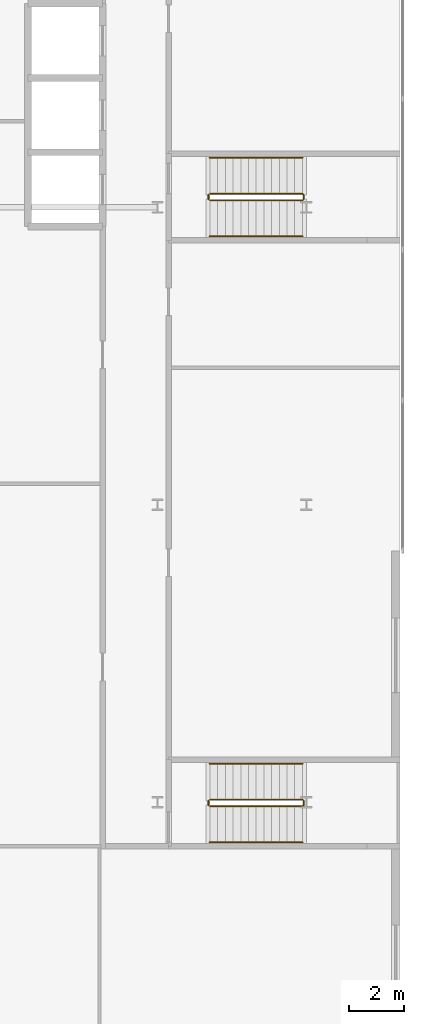
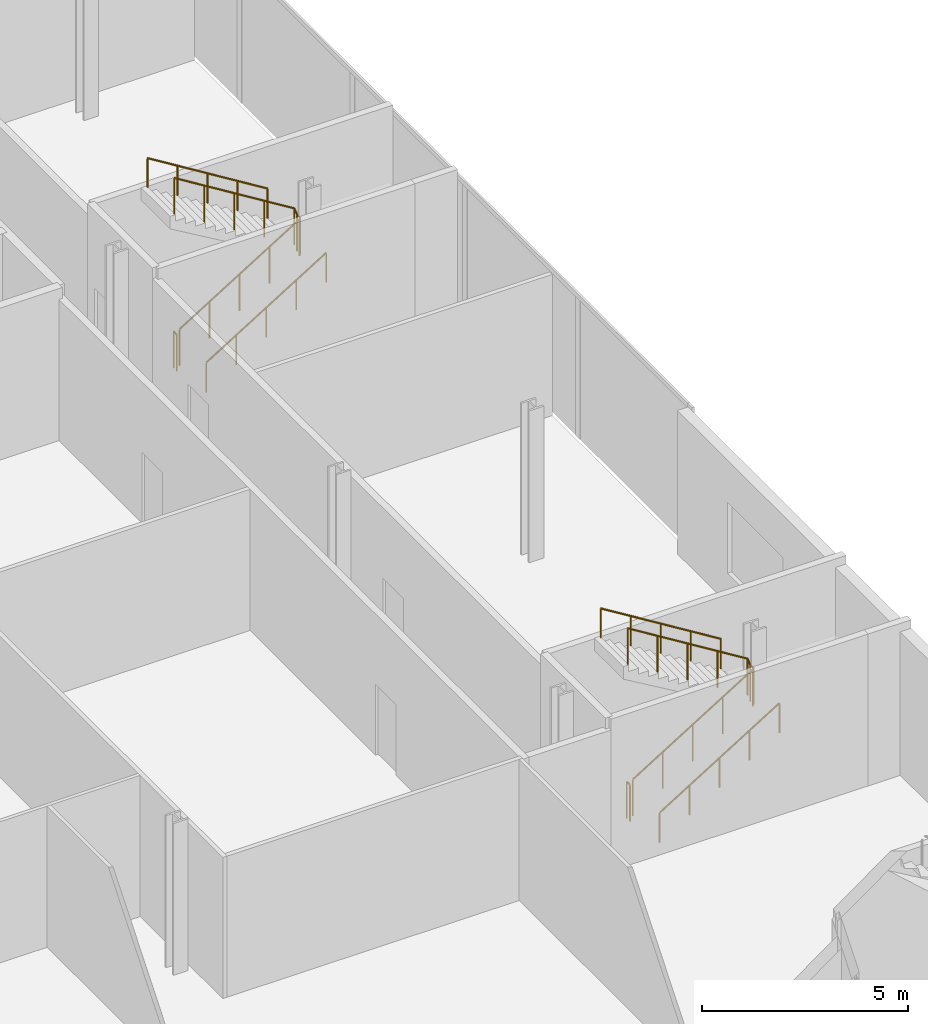
# One storey, part 44 of 47: 8 railings.
"""IFC4 building model written with IfcOpenShell, lengths in metres."""

from ifc_helpers import new_model, si_unit, direction, frame, origin, origin_2d, place, context, subcontext, project, spatial, circle, extrude, material, type_object, element, save


model = new_model("IFC4")

# Units and contexts
model_context = context("Model", 3, precision=1e-05, world=origin(), true_north=direction((0.0, 1.0)))
body_context = subcontext(model_context, "Body", "Model", "MODEL_VIEW")
ifc_project = project(units=[si_unit("LENGTHUNIT", "METRE"), si_unit("AREAUNIT", "SQUARE_METRE"), si_unit("VOLUMEUNIT", "CUBIC_METRE"), si_unit("PLANEANGLEUNIT", "RADIAN"), si_unit("MASSUNIT", "GRAM", prefix="KILO")], contexts=[model_context])

# Site, building, storey
site_placement = place(None, origin())
site = spatial("IfcSite", under=ifc_project, at=site_placement, CompositionType="ELEMENT")
building_placement = place(site_placement, origin())
building = spatial("IfcBuilding", under=site, at=building_placement, Name="Kheshtan School and Residences Tower", CompositionType="ELEMENT")
storey_placement = place(building_placement, frame((0.0, 0.0, 21.5)))
storey = spatial("IfcBuildingStorey", under=building, at=storey_placement, Name="L04", CompositionType="ELEMENT", Elevation=21.5)

# Railings
ifc_material_1 = material(Name="Stainless steel balustrade", Category="steel")
railing_type_1 = type_object("IfcRailingType", Name="Stair guard 1100", PredefinedType="GUARDRAIL", material=ifc_material_1)
railing_1_placement = place(storey_placement, frame((125.10009765625, 45.449951171875, 0.173095703125)))
element("IfcRailing", 1, at=railing_1_placement, inside=storey, type_object=railing_type_1, Name="L04 PS-124-044 stair guard 1", PredefinedType="GUARDRAIL", context=body_context, shape_type="SweptSolid", body=[
    extrude(circle(Radius=0.02392578125, at=origin_2d()), frame((0.0, 0.0, 1.076171875), z_axis=(0.850606129759, 0.0, 0.525803396734), x_axis=(0.0, 1.0, 0.0)), (0.0, 0.0, 1.0), 3.949951171875),
    extrude(circle(Radius=0.02392578125, at=origin_2d()), frame((3.35986328125, 0.0, 3.15283203125), z_axis=(0.707106781187, 0.707106781187, 0.0), x_axis=(-0.707106781187, 0.707106781187, 0.0)), (0.0, 0.0, 1.0), 0.07080078125),
    extrude(circle(Radius=0.02392578125, at=origin_2d()), frame((3.409912109375, 0.050048828125, 3.15283203125), z_axis=(0.0, 1.0, 0.0), x_axis=(-1.0, 0.0, 0.0)), (0.0, 0.0, 1.0), 0.14990234375),
    extrude(circle(Radius=0.02392578125, at=origin_2d()), frame((3.409912109375, 0.199951171875, 3.15283203125), z_axis=(-0.267629722418, 0.267629722418, 0.925607186314), x_axis=(-0.707106781187, -0.707106781187, 0.0)), (0.0, 0.0, 1.0), 0.18701171875),
    extrude(circle(Radius=0.02392578125, at=origin_2d()), frame((3.35986328125, 0.25, 3.326171875), z_axis=(-0.850606129759, 0.0, 0.525803396734), x_axis=(0.0, -1.0, 0.0)), (0.0, 0.0, 1.0), 3.949951171875),
    extrude(circle(Radius=0.02099609375, at=origin_2d()), origin(), (0.0, 0.0, 1.0), 1.052001953125),
    extrude(circle(Radius=0.02099609375, at=origin_2d()), frame((0.83984375, 0.0, 0.519287109375)), (0.0, 0.0, 1.0), 1.052001953125),
    extrude(circle(Radius=0.02099609375, at=origin_2d()), frame((1.679931640625, 0.0, 1.03857421875)), (0.0, 0.0, 1.0), 1.052001953125),
    extrude(circle(Radius=0.02099609375, at=origin_2d()), frame((2.52001953125, 0.0, 1.5576171875)), (0.0, 0.0, 1.0), 1.052001953125),
    extrude(circle(Radius=0.02099609375, at=origin_2d()), frame((3.35986328125, 0.0, 2.076904296875)), (0.0, 0.0, 1.0), 1.052001953125),
    extrude(circle(Radius=0.02099609375, at=origin_2d()), frame((3.409912109375, 0.050048828125, 2.076904296875)), (0.0, 0.0, 1.0), 1.052001953125),
    extrude(circle(Radius=0.02099609375, at=origin_2d()), frame((3.409912109375, 0.199951171875, 2.076904296875)), (0.0, 0.0, 1.0), 1.052001953125),
    extrude(circle(Radius=0.02099609375, at=origin_2d()), frame((3.35986328125, 0.25, 2.25)), (0.0, 0.0, 1.0), 1.052001953125),
    extrude(circle(Radius=0.02099609375, at=origin_2d()), frame((2.52001953125, 0.25, 2.769287109375)), (0.0, 0.0, 1.0), 1.052001953125),
    extrude(circle(Radius=0.02099609375, at=origin_2d()), frame((1.679931640625, 0.25, 3.28857421875)), (0.0, 0.0, 1.0), 1.052001953125),
    extrude(circle(Radius=0.02099609375, at=origin_2d()), frame((0.83984375, 0.25, 3.8076171875)), (0.0, 0.0, 1.0), 1.052001953125),
    extrude(circle(Radius=0.02099609375, at=origin_2d()), frame((0.0, 0.25, 4.326904296875)), (0.0, 0.0, 1.0), 1.052001953125),
])
railing_2_placement = place(storey_placement, frame((125.050048828125, 45.5, 0.0)))
element("IfcRailing", 2, at=railing_2_placement, inside=storey, type_object=railing_type_1, Name="L04 PS-124-044 stair guard 2", PredefinedType="GUARDRAIL", context=body_context, shape_type="SweptSolid", body=[
    extrude(circle(Radius=0.02392578125, at=origin_2d()), frame((0.0, 0.0, 1.076171875), z_axis=(0.0, 1.0, 0.0), x_axis=(-1.0, 0.0, 0.0)), (0.0, 0.0, 1.0), 0.14990234375),
    extrude(circle(Radius=0.02099609375, at=origin_2d()), origin(), (0.0, 0.0, 1.0), 1.052001953125),
    extrude(circle(Radius=0.02099609375, at=origin_2d()), frame((0.0, 0.14990234375, 0.0)), (0.0, 0.0, 1.0), 1.052001953125),
])
railing_3_placement = place(storey_placement, frame((125.10009765625, 67.449951171875, 0.173095703125)))
element("IfcRailing", 3, at=railing_3_placement, inside=storey, type_object=railing_type_1, Name="L04 PS-124-066 stair guard 1", PredefinedType="GUARDRAIL", context=body_context, shape_type="SweptSolid", body=[
    extrude(circle(Radius=0.02392578125, at=origin_2d()), frame((0.0, 0.0, 1.076171875), z_axis=(0.850606129759, 0.0, 0.525803396734), x_axis=(0.0, 1.0, 0.0)), (0.0, 0.0, 1.0), 3.949951171875),
    extrude(circle(Radius=0.02392578125, at=origin_2d()), frame((3.35986328125, 0.0, 3.15283203125), z_axis=(0.707106781187, 0.707106781187, 0.0), x_axis=(-0.707106781187, 0.707106781187, 0.0)), (0.0, 0.0, 1.0), 0.07080078125),
    extrude(circle(Radius=0.02392578125, at=origin_2d()), frame((3.409912109375, 0.050048828125, 3.15283203125), z_axis=(0.0, 1.0, 0.0), x_axis=(-1.0, 0.0, 0.0)), (0.0, 0.0, 1.0), 0.14990234375),
    extrude(circle(Radius=0.02392578125, at=origin_2d()), frame((3.409912109375, 0.199951171875, 3.15283203125), z_axis=(-0.267629722418, 0.267629722418, 0.925607186314), x_axis=(-0.707106781187, -0.707106781187, 0.0)), (0.0, 0.0, 1.0), 0.18701171875),
    extrude(circle(Radius=0.02392578125, at=origin_2d()), frame((3.35986328125, 0.25, 3.326171875), z_axis=(-0.850606129759, 0.0, 0.525803396734), x_axis=(0.0, -1.0, 0.0)), (0.0, 0.0, 1.0), 3.949951171875),
    extrude(circle(Radius=0.02099609375, at=origin_2d()), origin(), (0.0, 0.0, 1.0), 1.052001953125),
    extrude(circle(Radius=0.02099609375, at=origin_2d()), frame((0.83984375, 0.0, 0.519287109375)), (0.0, 0.0, 1.0), 1.052001953125),
    extrude(circle(Radius=0.02099609375, at=origin_2d()), frame((1.679931640625, 0.0, 1.03857421875)), (0.0, 0.0, 1.0), 1.052001953125),
    extrude(circle(Radius=0.02099609375, at=origin_2d()), frame((2.52001953125, 0.0, 1.5576171875)), (0.0, 0.0, 1.0), 1.052001953125),
    extrude(circle(Radius=0.02099609375, at=origin_2d()), frame((3.35986328125, 0.0, 2.076904296875)), (0.0, 0.0, 1.0), 1.052001953125),
    extrude(circle(Radius=0.02099609375, at=origin_2d()), frame((3.409912109375, 0.050048828125, 2.076904296875)), (0.0, 0.0, 1.0), 1.052001953125),
    extrude(circle(Radius=0.02099609375, at=origin_2d()), frame((3.409912109375, 0.199951171875, 2.076904296875)), (0.0, 0.0, 1.0), 1.052001953125),
    extrude(circle(Radius=0.02099609375, at=origin_2d()), frame((3.35986328125, 0.25, 2.25)), (0.0, 0.0, 1.0), 1.052001953125),
    extrude(circle(Radius=0.02099609375, at=origin_2d()), frame((2.52001953125, 0.25, 2.769287109375)), (0.0, 0.0, 1.0), 1.052001953125),
    extrude(circle(Radius=0.02099609375, at=origin_2d()), frame((1.679931640625, 0.25, 3.28857421875)), (0.0, 0.0, 1.0), 1.052001953125),
    extrude(circle(Radius=0.02099609375, at=origin_2d()), frame((0.83984375, 0.25, 3.8076171875)), (0.0, 0.0, 1.0), 1.052001953125),
    extrude(circle(Radius=0.02099609375, at=origin_2d()), frame((0.0, 0.25, 4.326904296875)), (0.0, 0.0, 1.0), 1.052001953125),
])
railing_4_placement = place(storey_placement, frame((125.050048828125, 67.5, 0.0)))
element("IfcRailing", 4, at=railing_4_placement, inside=storey, type_object=railing_type_1, Name="L04 PS-124-066 stair guard 2", PredefinedType="GUARDRAIL", context=body_context, shape_type="SweptSolid", body=[
    extrude(circle(Radius=0.02392578125, at=origin_2d()), frame((0.0, 0.0, 1.076171875), z_axis=(0.0, 1.0, 0.0), x_axis=(-1.0, 0.0, 0.0)), (0.0, 0.0, 1.0), 0.14990234375),
    extrude(circle(Radius=0.02099609375, at=origin_2d()), origin(), (0.0, 0.0, 1.0), 1.052001953125),
    extrude(circle(Radius=0.02099609375, at=origin_2d()), frame((0.0, 0.14990234375, 0.0)), (0.0, 0.0, 1.0), 1.052001953125),
])
ifc_material_2 = material(Name="Stainless steel handrail", Category="steel")
railing_type_2 = type_object("IfcRailingType", Name="Stair handrail 900", PredefinedType="HANDRAIL", material=ifc_material_2)
railing_5_placement = place(storey_placement, frame((125.10009765625, 44.14990234375, 0.173095703125)))
element("IfcRailing", 5, at=railing_5_placement, inside=storey, type_object=railing_type_2, Name="L04 PS-124-044 stair handrail 1", PredefinedType="HANDRAIL", context=body_context, shape_type="SweptSolid", body=[
    extrude(circle(Radius=0.02392578125, at=origin_2d()), frame((0.0, 0.0, 0.8759765625), z_axis=(0.850606129759, 0.0, 0.525803396734), x_axis=(0.0, 1.0, 0.0)), (0.0, 0.0, 1.0), 3.949951171875),
    extrude(circle(Radius=0.02099609375, at=origin_2d()), origin(), (0.0, 0.0, 1.0), 0.851806640625),
    extrude(circle(Radius=0.02099609375, at=origin_2d()), frame((0.83984375, 0.0, 0.519287109375)), (0.0, 0.0, 1.0), 0.851806640625),
    extrude(circle(Radius=0.02099609375, at=origin_2d()), frame((1.679931640625, 0.0, 1.03857421875)), (0.0, 0.0, 1.0), 0.851806640625),
    extrude(circle(Radius=0.02099609375, at=origin_2d()), frame((2.52001953125, 0.0, 1.5576171875)), (0.0, 0.0, 1.0), 0.851806640625),
    extrude(circle(Radius=0.02099609375, at=origin_2d()), frame((3.35986328125, 0.0, 2.076904296875)), (0.0, 0.0, 1.0), 0.851806640625),
])
railing_6_placement = place(storey_placement, frame((128.4599609375, 47.0, 2.423095703125)))
element("IfcRailing", 6, at=railing_6_placement, inside=storey, type_object=railing_type_2, Name="L04 PS-124-044 stair handrail 2", PredefinedType="HANDRAIL", context=body_context, shape_type="SweptSolid", body=[
    extrude(circle(Radius=0.02392578125, at=origin_2d()), frame((0.0, 0.0, 0.8759765625), z_axis=(-0.850606129759, 0.0, 0.525803396734), x_axis=(0.0, -1.0, 0.0)), (0.0, 0.0, 1.0), 3.949951171875),
    extrude(circle(Radius=0.02099609375, at=origin_2d()), origin(), (0.0, 0.0, 1.0), 0.851806640625),
    extrude(circle(Radius=0.02099609375, at=origin_2d()), frame((-0.83984375, 0.0, 0.519287109375)), (0.0, 0.0, 1.0), 0.851806640625),
    extrude(circle(Radius=0.02099609375, at=origin_2d()), frame((-1.679931640625, 0.0, 1.03857421875)), (0.0, 0.0, 1.0), 0.851806640625),
    extrude(circle(Radius=0.02099609375, at=origin_2d()), frame((-2.52001953125, 0.0, 1.5576171875)), (0.0, 0.0, 1.0), 0.851806640625),
    extrude(circle(Radius=0.02099609375, at=origin_2d()), frame((-3.35986328125, 0.0, 2.076904296875)), (0.0, 0.0, 1.0), 0.851806640625),
])
railing_7_placement = place(storey_placement, frame((125.10009765625, 66.14990234375, 0.173095703125)))
element("IfcRailing", 7, at=railing_7_placement, inside=storey, type_object=railing_type_2, Name="L04 PS-124-066 stair handrail 1", PredefinedType="HANDRAIL", context=body_context, shape_type="SweptSolid", body=[
    extrude(circle(Radius=0.02392578125, at=origin_2d()), frame((0.0, 0.0, 0.8759765625), z_axis=(0.850606129759, 0.0, 0.525803396734), x_axis=(0.0, 1.0, 0.0)), (0.0, 0.0, 1.0), 3.949951171875),
    extrude(circle(Radius=0.02099609375, at=origin_2d()), origin(), (0.0, 0.0, 1.0), 0.851806640625),
    extrude(circle(Radius=0.02099609375, at=origin_2d()), frame((0.83984375, 0.0, 0.519287109375)), (0.0, 0.0, 1.0), 0.851806640625),
    extrude(circle(Radius=0.02099609375, at=origin_2d()), frame((1.679931640625, 0.0, 1.03857421875)), (0.0, 0.0, 1.0), 0.851806640625),
    extrude(circle(Radius=0.02099609375, at=origin_2d()), frame((2.52001953125, 0.0, 1.5576171875)), (0.0, 0.0, 1.0), 0.851806640625),
    extrude(circle(Radius=0.02099609375, at=origin_2d()), frame((3.35986328125, 0.0, 2.076904296875)), (0.0, 0.0, 1.0), 0.851806640625),
])
railing_8_placement = place(storey_placement, frame((128.4599609375, 69.0, 2.423095703125)))
element("IfcRailing", 8, at=railing_8_placement, inside=storey, type_object=railing_type_2, Name="L04 PS-124-066 stair handrail 2", PredefinedType="HANDRAIL", context=body_context, shape_type="SweptSolid", body=[
    extrude(circle(Radius=0.02392578125, at=origin_2d()), frame((0.0, 0.0, 0.8759765625), z_axis=(-0.850606129759, 0.0, 0.525803396734), x_axis=(0.0, -1.0, 0.0)), (0.0, 0.0, 1.0), 3.949951171875),
    extrude(circle(Radius=0.02099609375, at=origin_2d()), origin(), (0.0, 0.0, 1.0), 0.851806640625),
    extrude(circle(Radius=0.02099609375, at=origin_2d()), frame((-0.83984375, 0.0, 0.519287109375)), (0.0, 0.0, 1.0), 0.851806640625),
    extrude(circle(Radius=0.02099609375, at=origin_2d()), frame((-1.679931640625, 0.0, 1.03857421875)), (0.0, 0.0, 1.0), 0.851806640625),
    extrude(circle(Radius=0.02099609375, at=origin_2d()), frame((-2.52001953125, 0.0, 1.5576171875)), (0.0, 0.0, 1.0), 0.851806640625),
    extrude(circle(Radius=0.02099609375, at=origin_2d()), frame((-3.35986328125, 0.0, 2.076904296875)), (0.0, 0.0, 1.0), 0.851806640625),
])

save(model, "model.ifc")
